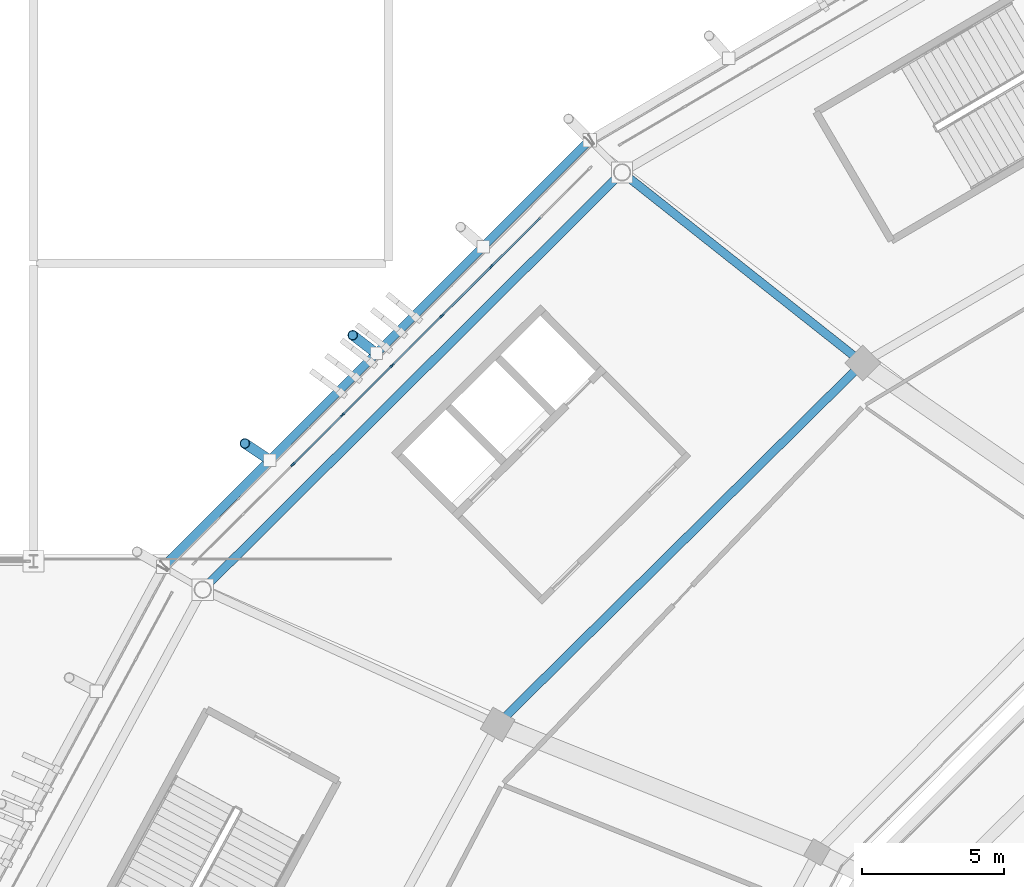
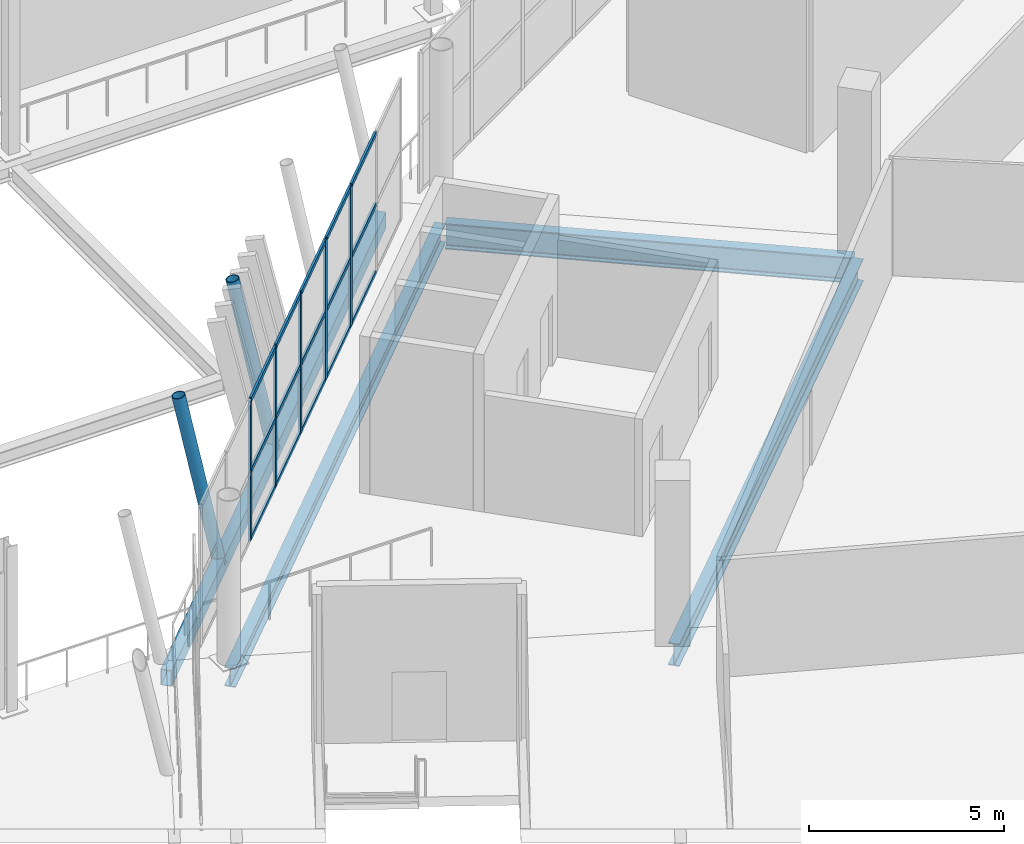
# One storey, part 47 of 178: 22 members, 4 beams, 1 element without a shape of its own.
"""IFC4 building model written with IfcOpenShell, lengths in metres."""

from ifc_helpers import new_model, si_unit, direction, frame, origin, origin_2d, place, context, subcontext, project, spatial, rectangle, hollow_rectangle, hollow_circle, i_section, extrude, material, material_profile, profile_set, type_object, element, aggregate, save


model = new_model("IFC4")

# Units and contexts
model_context = context("Model", 3, precision=1e-05, world=origin(), true_north=direction((0.0, 1.0)))
body_context = subcontext(model_context, "Body", "Model", "MODEL_VIEW")
ifc_project = project(units=[si_unit("LENGTHUNIT", "METRE"), si_unit("AREAUNIT", "SQUARE_METRE"), si_unit("VOLUMEUNIT", "CUBIC_METRE"), si_unit("PLANEANGLEUNIT", "RADIAN"), si_unit("MASSUNIT", "GRAM", prefix="KILO")], contexts=[model_context])

# Site, building, storey
site_placement = place(None, origin())
site = spatial("IfcSite", under=ifc_project, at=site_placement, CompositionType="ELEMENT")
building_placement = place(site_placement, origin())
building = spatial("IfcBuilding", under=site, at=building_placement, Name="Zlatoyarsky Gate Stadium", CompositionType="ELEMENT")
storey_placement = place(building_placement, frame((0.0, 0.0, 5.39990234375)))
storey = spatial("IfcBuildingStorey", under=building, at=storey_placement, Name="L01", CompositionType="ELEMENT", Elevation=5.39990234375)

# Curtain wall, members
ifc_material_1 = material(Name="Thermally broken anodised aluminium curtain wall", Category="aluminium")
curtain_wall_type = type_object("IfcCurtainWallType", Name="UNITISED HOSPITALITY GLAZING L01", PredefinedType="USERDEFINED", material=ifc_material_1)
curtain_wall_placement = place(storey_placement, origin())
curtain_wall = element("IfcCurtainWall", 1, at=curtain_wall_placement, inside=storey, type_object=curtain_wall_type, Name="Curtain wall CW-L01-09", ObjectType="UNITISED GLAZING", PredefinedType="USERDEFINED")
ifc_material_2 = material(Name="Anodised aluminium 6063-T6", Category="aluminium")
ifc_material_profile_1 = material_profile(ifc_material_2, rectangle(XDim=0.06494140625, YDim=0.159912109375, at=origin_2d()), Name="ALU 65X160")
ifc_profile_set_1 = profile_set([ifc_material_profile_1], Name="Anodised aluminium 6063-T6")
member_type_1 = type_object("IfcMemberType", Name="ALUMINIUM MULLION 65X160", PredefinedType="MULLION", material=ifc_profile_set_1)
member_1_placement = place(storey_placement, frame((40.6357421875, 126.894287109375, 0.0), z_axis=(0.0, 0.0, 1.0), x_axis=(0.706370937898, -0.707841859523, 0.0)))
member_1 = element("IfcMember", 2, at=member_1_placement, type_object=member_type_1, Name="CW-UG1 mullion 3", PredefinedType="MULLION", context=body_context, shape_type="SweptSolid", body=[
    extrude(rectangle(XDim=0.06494140625, YDim=0.159912109375, at=origin_2d()), origin(), (0.0, 0.0, 1.0), 4.400146484375),
])
member_2_placement = place(storey_placement, frame((38.88525390625, 125.1474609375, 0.0), z_axis=(0.0, 0.0, 1.0), x_axis=(0.706370937898, -0.707841859523, 0.0)))
member_2 = element("IfcMember", 3, at=member_2_placement, type_object=member_type_1, Name="CW-UG1 mullion 4", PredefinedType="MULLION", context=body_context, shape_type="SweptSolid", body=[
    extrude(rectangle(XDim=0.06494140625, YDim=0.159912109375, at=origin_2d()), origin(), (0.0, 0.0, 1.0), 4.400146484375),
])
member_3_placement = place(storey_placement, frame((37.134765625, 123.400634765625, 0.0), z_axis=(0.0, 0.0, 1.0), x_axis=(0.706370937898, -0.707841859523, 0.0)))
member_3 = element("IfcMember", 4, at=member_3_placement, type_object=member_type_1, Name="CW-UG1 mullion 5", PredefinedType="MULLION", context=body_context, shape_type="SweptSolid", body=[
    extrude(rectangle(XDim=0.06494140625, YDim=0.159912109375, at=origin_2d()), origin(), (0.0, 0.0, 1.0), 4.400146484375),
])
member_4_placement = place(storey_placement, frame((35.38427734375, 121.65380859375, 0.0), z_axis=(0.0, 0.0, 1.0), x_axis=(0.706370937898, -0.707841859523, 0.0)))
member_4 = element("IfcMember", 5, at=member_4_placement, type_object=member_type_1, Name="CW-UG1 mullion 6", PredefinedType="MULLION", context=body_context, shape_type="SweptSolid", body=[
    extrude(rectangle(XDim=0.06494140625, YDim=0.159912109375, at=origin_2d()), origin(), (0.0, 0.0, 1.0), 4.400146484375),
])
member_5_placement = place(storey_placement, frame((33.6337890625, 119.906982421875, 0.0), z_axis=(0.0, 0.0, 1.0), x_axis=(0.706370937898, -0.707841859523, 0.0)))
member_5 = element("IfcMember", 6, at=member_5_placement, type_object=member_type_1, Name="CW-UG1 mullion 7", PredefinedType="MULLION", context=body_context, shape_type="SweptSolid", body=[
    extrude(rectangle(XDim=0.06494140625, YDim=0.159912109375, at=origin_2d()), origin(), (0.0, 0.0, 1.0), 4.400146484375),
])
ifc_material_profile_2 = material_profile(ifc_material_2, rectangle(XDim=0.06494140625, YDim=0.139892578125, at=origin_2d()), Name="ALU 65X140")
ifc_profile_set_2 = profile_set([ifc_material_profile_2], Name="Anodised aluminium 6063-T6")
member_type_2 = type_object("IfcMemberType", Name="ALUMINIUM TRANSOM 65X140", PredefinedType="USERDEFINED", material=ifc_profile_set_2)
member_6_placement = place(storey_placement, frame((42.363037109375, 128.6181640625, 0.03271484375), z_axis=(-0.707816167604, -0.70639668238, 0.0), x_axis=(0.70639668238, -0.707816167604, 0.0)))
member_6 = element("IfcMember", 7, at=member_6_placement, type_object=member_type_2, Name="CW-UG1 transom 2.1", ObjectType="TRANSOM", PredefinedType="USERDEFINED", context=body_context, shape_type="SweptSolid", body=[
    extrude(rectangle(XDim=0.06494140625, YDim=0.139892578125, at=origin_2d()), origin(), (0.0, 0.0, 1.0), 2.407958984375),
])
member_7_placement = place(storey_placement, frame((42.363037109375, 128.6181640625, 2.150146484375), z_axis=(-0.707816167604, -0.70639668238, 0.0), x_axis=(0.70639668238, -0.707816167604, 0.0)))
member_7 = element("IfcMember", 8, at=member_7_placement, type_object=member_type_2, Name="CW-UG1 transom 2.2", ObjectType="TRANSOM", PredefinedType="USERDEFINED", context=body_context, shape_type="SweptSolid", body=[
    extrude(rectangle(XDim=0.06494140625, YDim=0.139892578125, at=origin_2d()), origin(), (0.0, 0.0, 1.0), 2.407958984375),
])
member_8_placement = place(storey_placement, frame((42.363037109375, 128.6181640625, 4.36767578125), z_axis=(-0.707816167604, -0.70639668238, 0.0), x_axis=(0.70639668238, -0.707816167604, 0.0)))
member_8 = element("IfcMember", 9, at=member_8_placement, type_object=member_type_2, Name="CW-UG1 transom 2.3", ObjectType="TRANSOM", PredefinedType="USERDEFINED", context=body_context, shape_type="SweptSolid", body=[
    extrude(rectangle(XDim=0.06494140625, YDim=0.139892578125, at=origin_2d()), origin(), (0.0, 0.0, 1.0), 2.407958984375),
])
member_9_placement = place(storey_placement, frame((40.61279296875, 126.871337890625, 0.03271484375), z_axis=(-0.707866756289, -0.706345988408, 0.0), x_axis=(0.706345988408, -0.707866756289, 0.0)))
member_9 = element("IfcMember", 10, at=member_9_placement, type_object=member_type_2, Name="CW-UG1 transom 3.1", ObjectType="TRANSOM", PredefinedType="USERDEFINED", context=body_context, shape_type="SweptSolid", body=[
    extrude(rectangle(XDim=0.06494140625, YDim=0.139892578125, at=origin_2d()), origin(), (0.0, 0.0, 1.0), 2.407958984375),
])
member_10_placement = place(storey_placement, frame((40.61279296875, 126.871337890625, 2.150146484375), z_axis=(-0.707866756289, -0.706345988408, 0.0), x_axis=(0.706345988408, -0.707866756289, 0.0)))
member_10 = element("IfcMember", 11, at=member_10_placement, type_object=member_type_2, Name="CW-UG1 transom 3.2", ObjectType="TRANSOM", PredefinedType="USERDEFINED", context=body_context, shape_type="SweptSolid", body=[
    extrude(rectangle(XDim=0.06494140625, YDim=0.139892578125, at=origin_2d()), origin(), (0.0, 0.0, 1.0), 2.407958984375),
])
member_11_placement = place(storey_placement, frame((40.61279296875, 126.871337890625, 4.36767578125), z_axis=(-0.707866756289, -0.706345988408, 0.0), x_axis=(0.706345988408, -0.707866756289, 0.0)))
member_11 = element("IfcMember", 12, at=member_11_placement, type_object=member_type_2, Name="CW-UG1 transom 3.3", ObjectType="TRANSOM", PredefinedType="USERDEFINED", context=body_context, shape_type="SweptSolid", body=[
    extrude(rectangle(XDim=0.06494140625, YDim=0.139892578125, at=origin_2d()), origin(), (0.0, 0.0, 1.0), 2.407958984375),
])
member_12_placement = place(storey_placement, frame((38.8623046875, 125.12451171875, 0.03271484375), z_axis=(-0.707866756289, -0.706345988408, 0.0), x_axis=(0.706345988408, -0.707866756289, 0.0)))
member_12 = element("IfcMember", 13, at=member_12_placement, type_object=member_type_2, Name="CW-UG1 transom 4.1", ObjectType="TRANSOM", PredefinedType="USERDEFINED", context=body_context, shape_type="SweptSolid", body=[
    extrude(rectangle(XDim=0.06494140625, YDim=0.139892578125, at=origin_2d()), origin(), (0.0, 0.0, 1.0), 2.407958984375),
])
member_13_placement = place(storey_placement, frame((38.8623046875, 125.12451171875, 2.150146484375), z_axis=(-0.707866756289, -0.706345988408, 0.0), x_axis=(0.706345988408, -0.707866756289, 0.0)))
member_13 = element("IfcMember", 14, at=member_13_placement, type_object=member_type_2, Name="CW-UG1 transom 4.2", ObjectType="TRANSOM", PredefinedType="USERDEFINED", context=body_context, shape_type="SweptSolid", body=[
    extrude(rectangle(XDim=0.06494140625, YDim=0.139892578125, at=origin_2d()), origin(), (0.0, 0.0, 1.0), 2.407958984375),
])
member_14_placement = place(storey_placement, frame((38.8623046875, 125.12451171875, 4.36767578125), z_axis=(-0.707866756289, -0.706345988408, 0.0), x_axis=(0.706345988408, -0.707866756289, 0.0)))
member_14 = element("IfcMember", 15, at=member_14_placement, type_object=member_type_2, Name="CW-UG1 transom 4.3", ObjectType="TRANSOM", PredefinedType="USERDEFINED", context=body_context, shape_type="SweptSolid", body=[
    extrude(rectangle(XDim=0.06494140625, YDim=0.139892578125, at=origin_2d()), origin(), (0.0, 0.0, 1.0), 2.407958984375),
])
member_15_placement = place(storey_placement, frame((37.11181640625, 123.377685546875, 0.03271484375), z_axis=(-0.707816167604, -0.70639668238, 0.0), x_axis=(0.70639668238, -0.707816167604, 0.0)))
member_15 = element("IfcMember", 16, at=member_15_placement, type_object=member_type_2, Name="CW-UG1 transom 5.1", ObjectType="TRANSOM", PredefinedType="USERDEFINED", context=body_context, shape_type="SweptSolid", body=[
    extrude(rectangle(XDim=0.06494140625, YDim=0.139892578125, at=origin_2d()), origin(), (0.0, 0.0, 1.0), 2.407958984375),
])
member_16_placement = place(storey_placement, frame((37.11181640625, 123.377685546875, 2.150146484375), z_axis=(-0.707816167604, -0.70639668238, 0.0), x_axis=(0.70639668238, -0.707816167604, 0.0)))
member_16 = element("IfcMember", 17, at=member_16_placement, type_object=member_type_2, Name="CW-UG1 transom 5.2", ObjectType="TRANSOM", PredefinedType="USERDEFINED", context=body_context, shape_type="SweptSolid", body=[
    extrude(rectangle(XDim=0.06494140625, YDim=0.139892578125, at=origin_2d()), origin(), (0.0, 0.0, 1.0), 2.407958984375),
])
member_17_placement = place(storey_placement, frame((37.11181640625, 123.377685546875, 4.36767578125), z_axis=(-0.707816167604, -0.70639668238, 0.0), x_axis=(0.70639668238, -0.707816167604, 0.0)))
member_17 = element("IfcMember", 18, at=member_17_placement, type_object=member_type_2, Name="CW-UG1 transom 5.3", ObjectType="TRANSOM", PredefinedType="USERDEFINED", context=body_context, shape_type="SweptSolid", body=[
    extrude(rectangle(XDim=0.06494140625, YDim=0.139892578125, at=origin_2d()), origin(), (0.0, 0.0, 1.0), 2.407958984375),
])
member_18_placement = place(storey_placement, frame((35.361328125, 121.630859375, 0.03271484375), z_axis=(-0.707816167604, -0.70639668238, 0.0), x_axis=(0.70639668238, -0.707816167604, 0.0)))
member_18 = element("IfcMember", 19, at=member_18_placement, type_object=member_type_2, Name="CW-UG1 transom 6.1", ObjectType="TRANSOM", PredefinedType="USERDEFINED", context=body_context, shape_type="SweptSolid", body=[
    extrude(rectangle(XDim=0.06494140625, YDim=0.139892578125, at=origin_2d()), origin(), (0.0, 0.0, 1.0), 2.407958984375),
])
member_19_placement = place(storey_placement, frame((35.361328125, 121.630859375, 2.150146484375), z_axis=(-0.707816167604, -0.70639668238, 0.0), x_axis=(0.70639668238, -0.707816167604, 0.0)))
member_19 = element("IfcMember", 20, at=member_19_placement, type_object=member_type_2, Name="CW-UG1 transom 6.2", ObjectType="TRANSOM", PredefinedType="USERDEFINED", context=body_context, shape_type="SweptSolid", body=[
    extrude(rectangle(XDim=0.06494140625, YDim=0.139892578125, at=origin_2d()), origin(), (0.0, 0.0, 1.0), 2.407958984375),
])
member_20_placement = place(storey_placement, frame((35.361328125, 121.630859375, 4.36767578125), z_axis=(-0.707816167604, -0.70639668238, 0.0), x_axis=(0.70639668238, -0.707816167604, 0.0)))
member_20 = element("IfcMember", 21, at=member_20_placement, type_object=member_type_2, Name="CW-UG1 transom 6.3", ObjectType="TRANSOM", PredefinedType="USERDEFINED", context=body_context, shape_type="SweptSolid", body=[
    extrude(rectangle(XDim=0.06494140625, YDim=0.139892578125, at=origin_2d()), origin(), (0.0, 0.0, 1.0), 2.407958984375),
])
aggregate(curtain_wall, [member_1, member_2, member_3, member_4, member_5, member_6, member_7, member_8, member_9, member_10, member_11, member_12, member_13, member_14, member_15, member_16, member_17, member_18, member_19, member_20])

# Members
ifc_material_3 = material(Name="Steel S355", Category="steel")
ifc_material_profile_3 = material_profile(ifc_material_3, hollow_circle(Radius=0.177734375, WallThickness=0.02001953125, at=origin_2d()), Name="CHS 355.6X20")
ifc_profile_set_3 = profile_set([ifc_material_profile_3], Name="Steel S355")
member_type_3 = type_object("IfcMemberType", Name="STEEL LEANING RIB RING STRUT CHS 355.6X20", PredefinedType="STRUT", material=ifc_profile_set_3)
member_21_placement = place(storey_placement, frame((36.584228515625, 123.822998046875, -0.5498046875), z_axis=(-0.157681237905, 0.120965345009, 0.980053066175), x_axis=(-0.608673620546, -0.793420710375, 0.0)))
element("IfcMember", 22, at=member_21_placement, inside=storey, type_object=member_type_3, Name="Outward-leaning bowl louvre fin rib L01 09-2", PredefinedType="STRUT", context=body_context, shape_type="SweptSolid", body=[
    extrude(hollow_circle(Radius=0.177734375, WallThickness=0.02001953125, at=origin_2d()), origin(), (0.0, 0.0, 1.0), 5.326171875),
])
member_22_placement = place(storey_placement, frame((32.825439453125, 120.063720703125, -0.5498046875), z_axis=(-0.165598335218, 0.110551670231, 0.979977305646), x_axis=(-0.555231303326, -0.831695977992, 0.0)))
element("IfcMember", 23, at=member_22_placement, inside=storey, type_object=member_type_3, Name="Outward-leaning bowl louvre fin rib L01 09-3", PredefinedType="STRUT", context=body_context, shape_type="SweptSolid", body=[
    extrude(hollow_circle(Radius=0.177734375, WallThickness=0.02001953125, at=origin_2d()), origin(), (0.0, 0.0, 1.0), 5.32666015625),
])

# Beams
ifc_material_profile_4 = material_profile(ifc_material_3, hollow_rectangle(XDim=0.300048828125, YDim=0.5, WallThickness=0.02001953125, at=origin_2d()), Name="RHS 500X300X20")
ifc_profile_set_4 = profile_set([ifc_material_profile_4], Name="Steel S355")
beam_type_1 = type_object("IfcBeamType", Name="STEEL LOUVRE CARRIER SPANDREL RHS 500X300X20", PredefinedType="SPANDREL", material=ifc_profile_set_4)
beam_1_placement = place(storey_placement, frame((44.087646484375, 131.327880859375, -0.5498046875), z_axis=(-0.707043513905, -0.707170042808, 0.0), x_axis=(0.707170042808, -0.707043513905, 0.0)))
element("IfcBeam", 24, at=beam_1_placement, inside=storey, type_object=beam_type_1, Name="Beam SP-RHS500 BM-L01-SPD-09", PredefinedType="SPANDREL", context=body_context, shape_type="SweptSolid", body=[
    extrude(hollow_rectangle(XDim=0.300048828125, YDim=0.5, WallThickness=0.02001953125, at=origin_2d()), origin(), (0.0, 0.0, 1.0), 21.224853515625),
])
ifc_material_profile_5 = material_profile(ifc_material_3, i_section(OverallWidth=0.300048828125, OverallDepth=0.60009765625, WebThickness=0.015380859375, FlangeThickness=0.030029296875, FilletRadius=0.027099609375, at=origin_2d()), Name="HEB 600")
ifc_profile_set_5 = profile_set([ifc_material_profile_5], Name="Steel S355")
beam_type_2 = type_object("IfcBeamType", Name="STEEL PRIMARY GIRDER HEB 600", PredefinedType="BEAM", material=ifc_profile_set_5)
beam_2_placement = place(storey_placement, frame((45.154052734375, 130.1201171875, -0.599853515625), z_axis=(-0.708899260134, -0.705309746835, 0.0), x_axis=(0.705309746835, -0.708899260134, 0.0)))
element("IfcBeam", 25, at=beam_2_placement, inside=storey, type_object=beam_type_2, Name="Beam G-HEB600 BM-L01-CRC-09", PredefinedType="BEAM", context=body_context, shape_type="SweptSolid", body=[
    extrude(i_section(OverallWidth=0.300048828125, OverallDepth=0.60009765625, WebThickness=0.015380859375, FlangeThickness=0.030029296875, FilletRadius=0.027099609375, at=origin_2d()), origin(), (0.0, 0.0, 1.0), 20.608642578125),
])
ifc_material_profile_6 = material_profile(ifc_material_3, i_section(OverallWidth=0.300048828125, OverallDepth=0.699951171875, WebThickness=0.01708984375, FlangeThickness=0.031982421875, FilletRadius=0.027099609375, at=origin_2d()), Name="HEB 700")
ifc_profile_set_6 = profile_set([ifc_material_profile_6], Name="Steel S355")
beam_type_3 = type_object("IfcBeamType", Name="STEEL PRIMARY GIRDER HEB 700", PredefinedType="BEAM", material=ifc_profile_set_6)
beam_3_placement = place(storey_placement, frame((53.63916015625, 123.402587890625, -0.64990234375), z_axis=(-0.710840510009, -0.703353232259, 0.0), x_axis=(0.703353232259, -0.710840510009, 0.0)))
element("IfcBeam", 26, at=beam_3_placement, inside=storey, type_object=beam_type_3, Name="Beam G-HEB700 BM-L01-CRB-09", PredefinedType="BEAM", context=body_context, shape_type="SweptSolid", body=[
    extrude(i_section(OverallWidth=0.300048828125, OverallDepth=0.699951171875, WebThickness=0.01708984375, FlangeThickness=0.031982421875, FilletRadius=0.027099609375, at=origin_2d()), origin(), (0.0, 0.0, 1.0), 17.868896484375),
])
ifc_material_profile_7 = material_profile(ifc_material_3, i_section(OverallWidth=0.300048828125, OverallDepth=0.800048828125, WebThickness=0.017578125, FlangeThickness=0.032958984375, FilletRadius=0.030029296875, at=origin_2d()), Name="HEB 800")
ifc_profile_set_7 = profile_set([ifc_material_profile_7], Name="Steel S355")
beam_type_4 = type_object("IfcBeamType", Name="STEEL PRIMARY GIRDER HEB 800", PredefinedType="BEAM", material=ifc_profile_set_7)
beam_4_placement = place(storey_placement, frame((53.63037109375, 123.5615234375, -0.699951171875), z_axis=(-0.78404348542, 0.620705898933, 0.0), x_axis=(-0.620705898933, -0.78404348542, 0.0)))
element("IfcBeam", 27, at=beam_4_placement, inside=storey, type_object=beam_type_4, Name="Beam G-HEB800 BM-L01-RBC-09", PredefinedType="BEAM", context=body_context, shape_type="SweptSolid", body=[
    extrude(i_section(OverallWidth=0.300048828125, OverallDepth=0.800048828125, WebThickness=0.017578125, FlangeThickness=0.032958984375, FilletRadius=0.030029296875, at=origin_2d()), origin(), (0.0, 0.0, 1.0), 10.58251953125),
])

save(model, "model.ifc")
